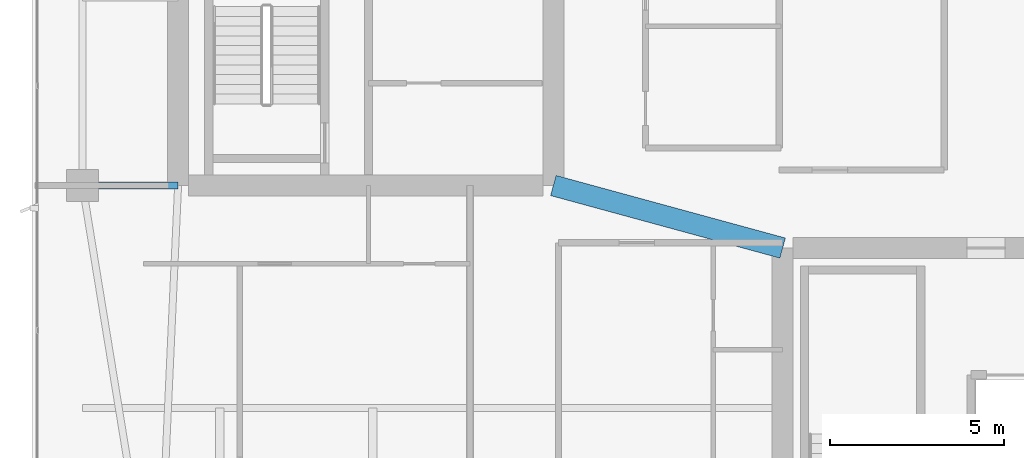
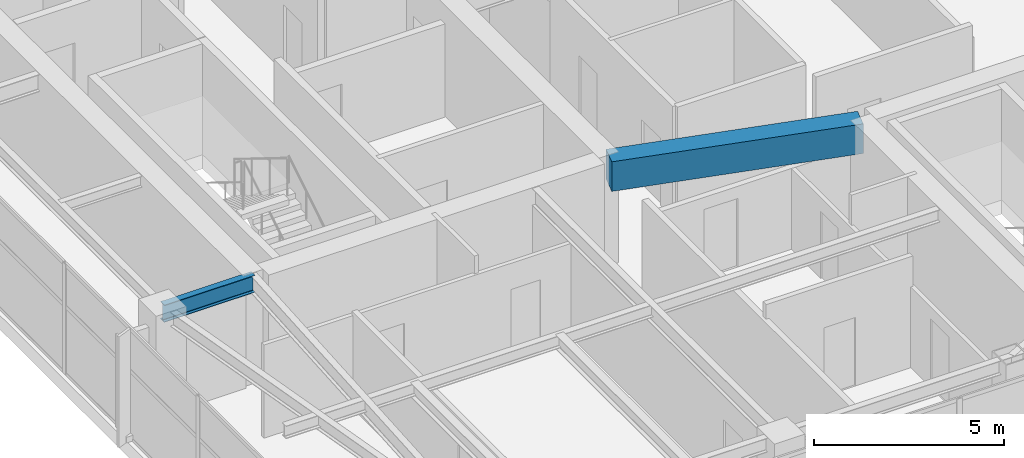
# One storey, part 9 of 27: 2 beams.
"""IFC4 building model written with IfcOpenShell, lengths in metres."""

import ifcopenshell
import ifcopenshell.guid

model = None  # the IFC model being written
_history = None  # IfcOwnerHistory: only IFC2X3 demands one
_inside = {}  # id of a spatial element -> (the spatial element, [elements in it])
_under = {}  # id of a project, library or spatial element -> (it, [spatial elements below it])
_declared = {}  # id of a project -> (the project, [libraries it declares])
_typed = {}  # id of a type object -> (the type object, [elements of that type])
_made_of = {}  # id of a material, layer set ... -> (it, [elements and type objects made of it])


def new_model(schema):
    """Start an empty IFC model of exactly this schema.

    Asked for "IFC4X3", IfcOpenShell would pick the latest addendum, in which some entities
    have other attributes; the version numbers below select the first issue.
    IFC2X3 requires an IfcOwnerHistory on every rooted entity: one is made here for all.
    """
    global model, _history
    if schema == "IFC4X3":
        model = ifcopenshell.file(schema_version=(4, 3, 0, 0))
    else:
        model = ifcopenshell.file(schema=schema)
    _inside.clear()
    _under.clear()
    _declared.clear()
    _typed.clear()
    _made_of.clear()
    _history = None
    if model.schema == "IFC2X3":
        org = make("IfcOrganization", Name="unknown")
        user = make(
            "IfcPersonAndOrganization",
            ThePerson=make("IfcPerson", FamilyName="unknown"),
            TheOrganization=org,
        )
        app = make(
            "IfcApplication",
            ApplicationDeveloper=org,
            Version="unknown",
            ApplicationFullName="unknown",
            ApplicationIdentifier="unknown",
        )
        _history = make(
            "IfcOwnerHistory",
            OwningUser=user,
            OwningApplication=app,
            ChangeAction="ADDED",
            CreationDate=0,
        )
    return model


def make(cls, **values):
    """One entity of the class cls with the attributes given. An attribute that is None is left unset."""
    return model.create_entity(
        cls, **{name: value for name, value in values.items() if value is not None}
    )


def rooted(cls, **values):
    """An entity with a GlobalId (a new one), such as an element, a storey or a relation."""
    return make(cls, GlobalId=ifcopenshell.guid.new(), OwnerHistory=_history, **values)


def si_unit(unit_type, name, prefix=None):
    """IfcSIUnit, for example si_unit("LENGTHUNIT", "METRE", prefix="MILLI")."""
    return make("IfcSIUnit", UnitType=unit_type, Prefix=prefix, Name=name)


def assignment(units):
    """IfcUnitAssignment: the units of a project."""
    return None if units is None else make("IfcUnitAssignment", Units=units)


def point(xyz):
    """IfcCartesianPoint."""
    return None if xyz is None else make("IfcCartesianPoint", Coordinates=xyz)


def direction(xyz):
    """IfcDirection."""
    return None if xyz is None else make("IfcDirection", DirectionRatios=xyz)


def frame(location, z_axis=None, x_axis=None):
    """IfcAxis2Placement3D, a coordinate frame: its origin and axes. An axis left out is left unset."""
    return make(
        "IfcAxis2Placement3D",
        Location=point(location),
        Axis=direction(z_axis),
        RefDirection=direction(x_axis),
    )


def frame_2d(location, x_axis=None):
    """IfcAxis2Placement2D, a coordinate frame in the plane: its origin and x axis."""
    return make(
        "IfcAxis2Placement2D", Location=point(location), RefDirection=direction(x_axis)
    )


def origin():
    """The frame at (0, 0, 0) with its axes left unset."""
    return frame((0.0, 0.0, 0.0))


def origin_2d():
    """The frame at (0, 0) in the plane with its x axis left unset."""
    return frame_2d((0.0, 0.0))


def place(relative_to, where):
    """IfcLocalPlacement: puts the frame where relative to a parent placement (None: the world)."""
    return make(
        "IfcLocalPlacement", PlacementRelTo=relative_to, RelativePlacement=where
    )


def context(
    kind, dimensions, precision=None, world=None, true_north=None, identifier=None
):
    """IfcGeometricRepresentationContext, for example the 3D "Model" context."""
    return make(
        "IfcGeometricRepresentationContext",
        ContextIdentifier=identifier,
        ContextType=kind,
        CoordinateSpaceDimension=dimensions,
        Precision=precision,
        WorldCoordinateSystem=world,
        TrueNorth=true_north,
    )


def subcontext(parent, identifier, kind, view, scale=None):
    """IfcGeometricRepresentationSubContext, for example "Body" below "Model"."""
    return make(
        "IfcGeometricRepresentationSubContext",
        ContextIdentifier=identifier,
        ContextType=kind,
        ParentContext=parent,
        TargetScale=scale,
        TargetView=view,
    )


def project(units=None, contexts=None):
    """IfcProject with its units and contexts."""
    return rooted(
        "IfcProject",
        Name="project",
        RepresentationContexts=contexts,
        UnitsInContext=assignment(units),
    )


def spatial(cls, under=None, at=None, **own):
    """A site, building, storey or space (cls), placed at a placement, below another one or the project."""
    s = rooted(cls, ObjectPlacement=at, **own)
    if under is not None:
        _under.setdefault(under.id(), (under, []))[1].append(s)
    return s


def profile(cls, at=None, kind="AREA", **sizes):
    """A parametric profile (cls). Its sizes go by their IFC names, for example OverallWidth=200.0."""
    return make(cls, ProfileType=kind, Position=at, **sizes)


def rectangle(**sizes):
    """IfcRectangleProfileDef."""
    return profile("IfcRectangleProfileDef", **sizes)


def i_section(**sizes):
    """IfcIShapeProfileDef."""
    return profile("IfcIShapeProfileDef", **sizes)


def extrude(swept, where, along, depth):
    """IfcExtrudedAreaSolid: the profile swept, set in the frame where, extruded along a direction by depth."""
    return make(
        "IfcExtrudedAreaSolid",
        SweptArea=swept,
        Position=where,
        ExtrudedDirection=direction(along),
        Depth=depth,
    )


def shape(context_of_items, identifier, shape_type, items):
    """IfcShapeRepresentation: the items that make up one representation, for example the "Body"."""
    return make(
        "IfcShapeRepresentation",
        ContextOfItems=context_of_items,
        RepresentationIdentifier=identifier,
        RepresentationType=shape_type,
        Items=items,
    )


def material(Name=None, Category=None):
    """IfcMaterial."""
    return make("IfcMaterial", Name=Name, Category=Category)


def material_profile(
    of_material, cross_section, Name=None, Category=None, Priority=None
):
    """IfcMaterialProfile: a cross section and its material."""
    return make(
        "IfcMaterialProfile",
        Name=Name,
        Material=of_material,
        Profile=cross_section,
        Priority=Priority,
        Category=Category,
    )


def profile_set(profiles, Name=None, composite=None):
    """IfcMaterialProfileSet."""
    return make(
        "IfcMaterialProfileSet",
        Name=Name,
        MaterialProfiles=profiles,
        CompositeProfile=composite,
    )


def made_of(thing, what):
    """Note that an element or type object is made of a material, layer set ...; save() writes the relation."""
    if what is not None:
        _made_of.setdefault(what.id(), (what, []))[1].append(thing)
    return thing


def type_object(cls, material=None, **own):
    """A type object (cls), such as IfcWallType, which elements share."""
    return made_of(rooted(cls, **own), material)


def element(
    cls,
    number,
    at=None,
    inside=None,
    cuts=None,
    type_object=None,
    material=None,
    context=None,
    identifier="Body",
    shape_type=None,
    held_by="IfcProductDefinitionShape",
    body=None,
    shapes=None,
    **own,
):
    """One element of the class cls, such as IfcWall. Its Tag is "e" and its number.

    at: its placement. inside: the storey or other place that contains it. cuts: it is an
    opening in that element (IfcRelVoidsElement). A single representation is given by context,
    identifier, shape_type and body (its items); several are given by shapes. held_by: the class
    of the entity that holds the representations. save() writes the other relations.
    """
    e = rooted(cls, Tag="e%d" % number, ObjectPlacement=at, **own)
    if body is not None:
        shapes = [shape(context, identifier, shape_type, body)]
    if shapes is not None:
        e.Representation = make(held_by, Representations=shapes)
    if inside is not None:
        _inside.setdefault(inside.id(), (inside, []))[1].append(e)
    if cuts is not None:
        rooted(
            "IfcRelVoidsElement", RelatingBuildingElement=cuts, RelatedOpeningElement=e
        )
    if type_object is not None:
        _typed.setdefault(type_object.id(), (type_object, []))[1].append(e)
    return made_of(e, material)


def aggregate(whole, parts):
    """IfcRelAggregates: a whole, such as a stair, and the parts it consists of."""
    return rooted("IfcRelAggregates", RelatingObject=whole, RelatedObjects=parts)


def save(model, path):
    """Write the relations noted so far, then the file.

    IfcRelAggregates (storeys below a building ...), IfcRelContainedInSpatialStructure (elements
    in a storey), IfcRelDefinesByType, IfcRelAssociatesMaterial and IfcRelDeclares: one each for
    every whole, place, type object, material and project.
    """
    for whole, parts in _under.values():
        aggregate(whole, parts)
    for where, things in _inside.values():
        rooted(
            "IfcRelContainedInSpatialStructure",
            RelatedElements=things,
            RelatingStructure=where,
        )
    for kind, things in _typed.values():
        rooted("IfcRelDefinesByType", RelatedObjects=things, RelatingType=kind)
    for what, things in _made_of.values():
        rooted("IfcRelAssociatesMaterial", RelatedObjects=things, RelatingMaterial=what)
    for by, libraries in _declared.values():
        rooted("IfcRelDeclares", RelatingContext=by, RelatedDefinitions=libraries)
    model.write(path)


model = new_model("IFC4")

# Units and contexts
model_context = context("Model", 3, precision=1e-05, world=origin(), true_north=direction((0.0, 1.0)))
body_context = subcontext(model_context, "Body", "Model", "MODEL_VIEW")
ifc_project = project(units=[si_unit("LENGTHUNIT", "METRE"), si_unit("AREAUNIT", "SQUARE_METRE"), si_unit("VOLUMEUNIT", "CUBIC_METRE"), si_unit("PLANEANGLEUNIT", "RADIAN"), si_unit("MASSUNIT", "GRAM", prefix="KILO")], contexts=[model_context])

# Site, building, storey
site_placement = place(None, origin())
site = spatial("IfcSite", under=ifc_project, at=site_placement, CompositionType="ELEMENT")
building_placement = place(site_placement, origin())
building = spatial("IfcBuilding", under=site, at=building_placement, Name="Calvorn Quay Hotel", CompositionType="ELEMENT")
storey_placement = place(building_placement, frame((0.0, 0.0, 287.300048828125)))
storey = spatial("IfcBuildingStorey", under=building, at=storey_placement, Name="L71", CompositionType="ELEMENT", Elevation=287.300048828125)

# Beams
ifc_material_1 = material(Name="Steel Q355B", Category="steel")
ifc_material_profile_1 = material_profile(ifc_material_1, i_section(OverallWidth=0.199951171875, OverallDepth=0.550048828125, WebThickness=0.010009765625, FlangeThickness=0.01611328125, FilletRadius=0.01806640625, at=origin_2d()), Name="HN550x200x10x16")
ifc_profile_set_1 = profile_set([ifc_material_profile_1], Name="Steel Q355B")
beam_type_1 = type_object("IfcBeamType", Name="BM-GIRD-UPP", PredefinedType="BEAM", material=ifc_profile_set_1)
beam_1_placement = place(storey_placement, frame((1.449951171875, 16.800048828125, 3.264892578125), z_axis=(1.0, 0.0, 0.0), x_axis=(0.0, 1.0, 0.0)))
element("IfcBeam", 1, at=beam_1_placement, inside=storey, type_object=beam_type_1, Name="Beam BG-L71-W1", PredefinedType="BEAM", context=body_context, shape_type="SweptSolid", body=[
    extrude(i_section(OverallWidth=0.199951171875, OverallDepth=0.550048828125, WebThickness=0.010009765625, FlangeThickness=0.01611328125, FilletRadius=0.01806640625, at=origin_2d()), origin(), (0.0, 0.0, 1.0), 2.75),
])
ifc_material_2 = material(Name="Concrete C45", Category="concrete")
ifc_material_profile_2 = material_profile(ifc_material_2, rectangle(XDim=0.60009765625, YDim=0.949951171875, at=origin_2d()), Name="RCB600x950")
ifc_profile_set_2 = profile_set([ifc_material_profile_2], Name="Concrete C45")
beam_type_2 = type_object("IfcBeamType", Name="BM-RC-LINK-600x950", PredefinedType="BEAM", material=ifc_profile_set_2)
beam_2_placement = place(storey_placement, frame((15.0, 16.800048828125, 3.06494140625), z_axis=(0.964762997686, -0.263120425462, 0.0), x_axis=(0.263120425462, 0.964762997686, 0.0)))
element("IfcBeam", 2, at=beam_2_placement, inside=storey, type_object=beam_type_2, Name="Beam BCL-L71-01", PredefinedType="BEAM", context=body_context, shape_type="SweptSolid", body=[
    extrude(rectangle(XDim=0.60009765625, YDim=0.949951171875, at=origin_2d()), origin(), (0.0, 0.0, 1.0), 6.841064453125),
])

save(model, "model.ifc")
